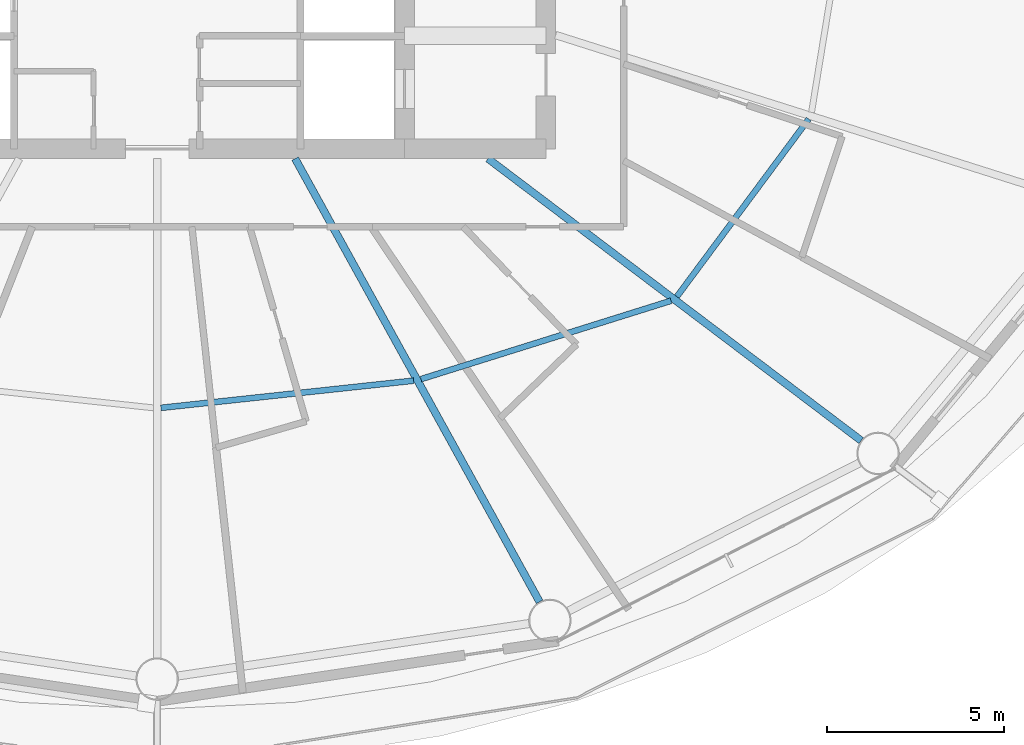
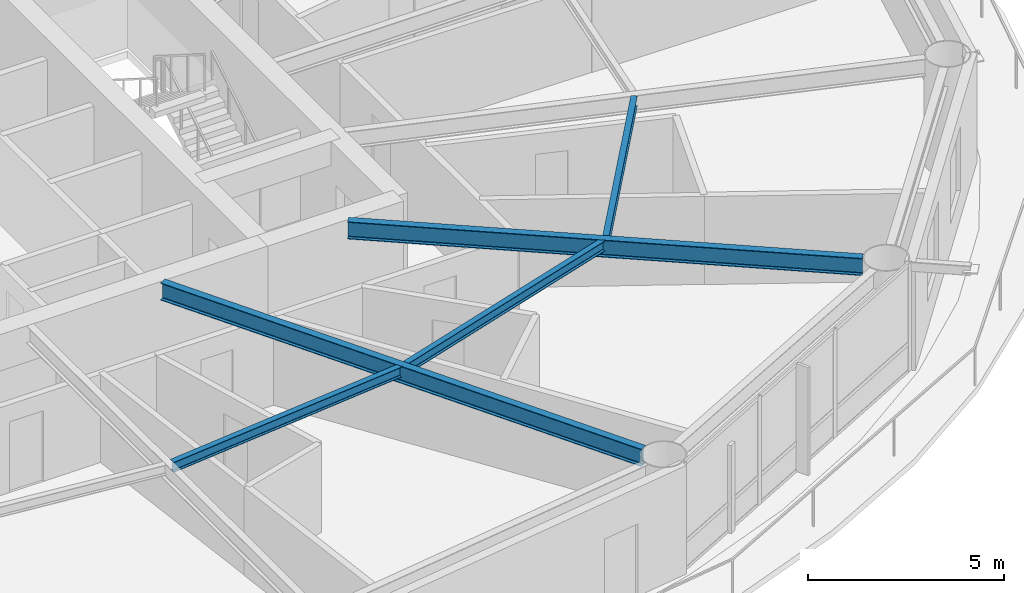
# One storey, part 5 of 24: 5 beams.
"""IFC4 building model written with IfcOpenShell, lengths in metres."""

from ifc_helpers import new_model, si_unit, direction, frame, origin, origin_2d, place, context, subcontext, project, spatial, i_section, extrude, material, material_profile, profile_set, type_object, element, save


model = new_model("IFC4")

# Units and contexts
model_context = context("Model", 3, precision=1e-05, world=origin(), true_north=direction((0.0, 1.0)))
body_context = subcontext(model_context, "Body", "Model", "MODEL_VIEW")
ifc_project = project(units=[si_unit("LENGTHUNIT", "METRE"), si_unit("AREAUNIT", "SQUARE_METRE"), si_unit("VOLUMEUNIT", "CUBIC_METRE"), si_unit("PLANEANGLEUNIT", "RADIAN"), si_unit("MASSUNIT", "GRAM", prefix="KILO")], contexts=[model_context])

# Site, building, storey
site_placement = place(None, origin())
site = spatial("IfcSite", under=ifc_project, at=site_placement, CompositionType="ELEMENT")
building_placement = place(site_placement, origin())
building = spatial("IfcBuilding", under=site, at=building_placement, Name="Sarneth Arch Tower", CompositionType="ELEMENT")
storey_placement = place(building_placement, frame((0.0, 0.0, 109.199951171875)))
storey = spatial("IfcBuildingStorey", under=building, at=storey_placement, Name="L27", CompositionType="ELEMENT", Elevation=109.199951171875)

# Beams
ifc_material_1 = material(Name="Steel S355", Category="steel")
ifc_material_profile_1 = material_profile(ifc_material_1, i_section(OverallWidth=0.1669921875, OverallDepth=0.31689453125, WebThickness=0.007568359375, FlangeThickness=0.01318359375, FilletRadius=0.012939453125, at=origin_2d()), Name="W310x52")
ifc_profile_set_1 = profile_set([ifc_material_profile_1], Name="Steel S355")
beam_type_1 = type_object("IfcBeamType", Name="BM-JOIST-310B", PredefinedType="JOIST", material=ifc_profile_set_1)
beam_1_placement = place(storey_placement, frame((48.10498046875, 27.873779296875, 3.221435546875), z_axis=(0.994257420028, 0.107014871487, 0.0), x_axis=(-0.107014871487, 0.994257420028, 0.0)))
element("IfcBeam", 1, at=beam_1_placement, inside=storey, type_object=beam_type_1, Name="L27 Secondary floor joist 13", PredefinedType="JOIST", context=body_context, shape_type="SweptSolid", body=[
    extrude(i_section(OverallWidth=0.1669921875, OverallDepth=0.31689453125, WebThickness=0.007568359375, FlangeThickness=0.01318359375, FilletRadius=0.012939453125, at=origin_2d()), origin(), (0.0, 0.0, 1.0), 7.193115234375),
])
beam_2_placement = place(storey_placement, frame((55.46240234375, 28.6865234375, 3.221435546875), z_axis=(0.954245982384, 0.299022750146, 0.0), x_axis=(-0.299022750146, 0.954245982384, 0.0)))
element("IfcBeam", 2, at=beam_2_placement, inside=storey, type_object=beam_type_1, Name="L27 Secondary floor joist 14", PredefinedType="JOIST", context=body_context, shape_type="SweptSolid", body=[
    extrude(i_section(OverallWidth=0.1669921875, OverallDepth=0.31689453125, WebThickness=0.007568359375, FlangeThickness=0.01318359375, FilletRadius=0.012939453125, at=origin_2d()), origin(), (0.0, 0.0, 1.0), 7.416748046875),
])
beam_3_placement = place(storey_placement, frame((62.703369140625, 31.0205078125, 3.221435546875), z_axis=(0.596098474255, 0.802911333206, 0.0), x_axis=(-0.802911333206, 0.596098474255, 0.0)))
element("IfcBeam", 3, at=beam_3_placement, inside=storey, type_object=beam_type_1, Name="L27 Secondary floor joist 15", PredefinedType="JOIST", context=body_context, shape_type="SweptSolid", body=[
    extrude(i_section(OverallWidth=0.1669921875, OverallDepth=0.31689453125, WebThickness=0.007568359375, FlangeThickness=0.01318359375, FilletRadius=0.012939453125, at=origin_2d()), origin(), (0.0, 0.0, 1.0), 6.259033203125),
])
ifc_material_2 = material(Name="Steel S355", Category="steel")
ifc_material_profile_2 = material_profile(ifc_material_2, i_section(OverallWidth=0.2109375, OverallDepth=0.5390625, WebThickness=0.01171875, FlangeThickness=0.018798828125, FilletRadius=0.01806640625, at=origin_2d()), Name="W530x109")
ifc_profile_set_2 = profile_set([ifc_material_profile_2], Name="Steel S355")
beam_type_2 = type_object("IfcBeamType", Name="BM-RAD-530B", PredefinedType="BEAM", material=ifc_profile_set_2)
beam_4_placement = place(storey_placement, frame((51.90283203125, 34.925048828125, 3.110595703125), z_axis=(0.483021011336, -0.875608761153, 0.0), x_axis=(0.875608761153, 0.483021011336, 0.0)))
element("IfcBeam", 4, at=beam_4_placement, inside=storey, type_object=beam_type_2, Name="L27 Radial floor girder 14", PredefinedType="BEAM", context=body_context, shape_type="SweptSolid", body=[
    extrude(i_section(OverallWidth=0.2109375, OverallDepth=0.5390625, WebThickness=0.01171875, FlangeThickness=0.018798828125, FilletRadius=0.01806640625, at=origin_2d()), origin(), (0.0, 0.0, 1.0), 14.32177734375),
])
beam_5_placement = place(storey_placement, frame((57.36181640625, 34.925048828125, 3.110595703125), z_axis=(0.797802835234, -0.602918432371, 0.0), x_axis=(0.602918432371, 0.797802835234, 0.0)))
element("IfcBeam", 5, at=beam_5_placement, inside=storey, type_object=beam_type_2, Name="L27 Radial floor girder 15", PredefinedType="BEAM", context=body_context, shape_type="SweptSolid", body=[
    extrude(i_section(OverallWidth=0.2109375, OverallDepth=0.5390625, WebThickness=0.01171875, FlangeThickness=0.018798828125, FilletRadius=0.01806640625, at=origin_2d()), origin(), (0.0, 0.0, 1.0), 13.232666015625),
])

save(model, "model.ifc")
